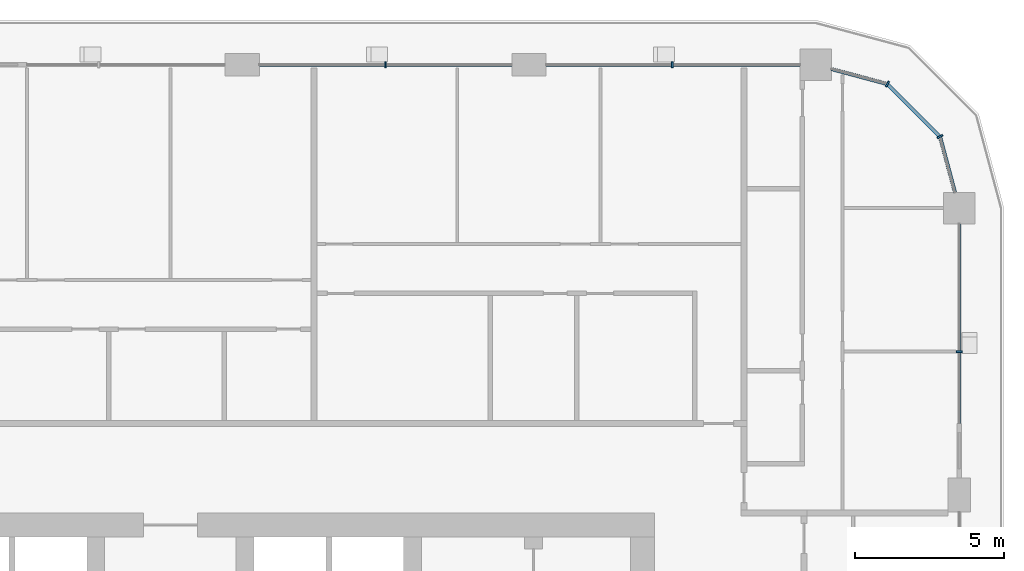
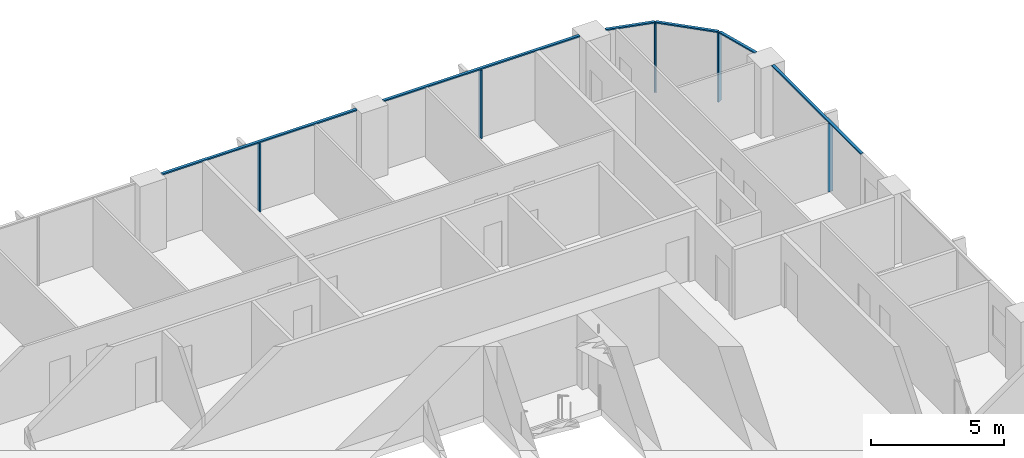
# One storey, part 6 of 22: 11 members, 4 elements without a shape of their own.
"""IFC4 building model written with IfcOpenShell, lengths in metres."""

from ifc_helpers import new_model, si_unit, direction, frame, origin, origin_2d, place, context, subcontext, project, spatial, rectangle, extrude, material, layer, layer_set, material_profile, profile_set, type_object, element, aggregate, save


model = new_model("IFC4")

# Units and contexts
model_context = context("Model", 3, precision=1e-05, world=origin(), true_north=direction((0.0, 1.0)))
body_context = subcontext(model_context, "Body", "Model", "MODEL_VIEW")
ifc_project = project(units=[si_unit("LENGTHUNIT", "METRE"), si_unit("AREAUNIT", "SQUARE_METRE"), si_unit("VOLUMEUNIT", "CUBIC_METRE"), si_unit("PLANEANGLEUNIT", "RADIAN"), si_unit("MASSUNIT", "GRAM", prefix="KILO")], contexts=[model_context])

# Site, building, storey
site_placement = place(None, origin())
site = spatial("IfcSite", under=ifc_project, at=site_placement, CompositionType="ELEMENT")
building_placement = place(site_placement, origin())
building = spatial("IfcBuilding", under=site, at=building_placement, Name="Madar Terraces", CompositionType="ELEMENT")
storey_placement = place(building_placement, frame((0.0, 0.0, 129.60009765625)))
storey = spatial("IfcBuildingStorey", under=building, at=storey_placement, Name="L33", CompositionType="ELEMENT", Elevation=129.60009765625)

# Curtain wall, member
ifc_material_1 = material(Name="Glass, ceramic frit dark grey, with black aluminium frame", Category="aluminium")
ifc_layer = layer(ifc_material_1, 0.199951171875)
ifc_layer_set = layer_set([ifc_layer], Name="Facade curtain wall, fritted glass")
curtain_wall_type = type_object("IfcCurtainWallType", Name="Facade curtain wall, fritted glass", PredefinedType="NOTDEFINED", material=ifc_layer_set)
curtain_wall_1_placement = place(storey_placement, origin())
curtain_wall_1 = element("IfcCurtainWall", 1, at=curtain_wall_1_placement, inside=storey, type_object=curtain_wall_type, Name="Outer skin curtain wall east bay 4", PredefinedType="NOTDEFINED")
ifc_material_2 = material(Name="Aluminium, black anodised", Category="aluminium")
ifc_material_profile_1 = material_profile(ifc_material_2, rectangle(XDim=0.199951171875, YDim=0.06005859375, at=origin_2d()), Name="Facade mullion 60x200")
ifc_profile_set_1 = profile_set([ifc_material_profile_1], Name="Aluminium, black anodised")
member_type_1 = type_object("IfcMemberType", Name="Facade mullion 60x200", PredefinedType="MULLION", material=ifc_profile_set_1)
member_1_placement = place(storey_placement, frame((57.60009765625, 43.199951171875, 0.0), z_axis=(0.0, 0.0, 1.0), x_axis=(-1.0, 0.0, 0.0)))
member_1 = element("IfcMember", 2, at=member_1_placement, type_object=member_type_1, Name="Mullion 1", PredefinedType="MULLION", context=body_context, shape_type="SweptSolid", body=[
    extrude(rectangle(XDim=0.199951171875, YDim=0.06005859375, at=origin_2d()), origin(), (0.0, 0.0, 1.0), 3.139892578125),
])

curtain_wall_2_placement = place(storey_placement, origin())
curtain_wall_2 = element("IfcCurtainWall", 3, at=curtain_wall_2_placement, inside=storey, type_object=curtain_wall_type, Name="Outer skin curtain wall north bay 1", PredefinedType="NOTDEFINED")
member_2_placement = place(storey_placement, frame((48.0, 52.800048828125, 0.0), z_axis=(0.0, 0.0, 1.0), x_axis=(0.0, -1.0, 0.0)))
member_2 = element("IfcMember", 4, at=member_2_placement, type_object=member_type_1, Name="Mullion 1", PredefinedType="MULLION", context=body_context, shape_type="SweptSolid", body=[
    extrude(rectangle(XDim=0.199951171875, YDim=0.06005859375, at=origin_2d()), origin(), (0.0, 0.0, 1.0), 3.139892578125),
])

curtain_wall_3_placement = place(storey_placement, origin())
curtain_wall_3 = element("IfcCurtainWall", 5, at=curtain_wall_3_placement, inside=storey, type_object=curtain_wall_type, Name="Outer skin curtain wall north bay 2", PredefinedType="NOTDEFINED")
member_3_placement = place(storey_placement, frame((38.39990234375, 52.800048828125, 0.0), z_axis=(0.0, 0.0, 1.0), x_axis=(0.0, -1.0, 0.0)))
member_3 = element("IfcMember", 6, at=member_3_placement, type_object=member_type_1, Name="Mullion 1", PredefinedType="MULLION", context=body_context, shape_type="SweptSolid", body=[
    extrude(rectangle(XDim=0.199951171875, YDim=0.06005859375, at=origin_2d()), origin(), (0.0, 0.0, 1.0), 3.139892578125),
])

# Curtain wall, members
curtain_wall_4_placement = place(storey_placement, origin())
curtain_wall_4 = element("IfcCurtainWall", 7, at=curtain_wall_4_placement, inside=storey, type_object=curtain_wall_type, Name="Outer skin curtain wall north-east corner", PredefinedType="NOTDEFINED")
member_4_placement = place(storey_placement, frame((56.95703125, 50.39990234375, 0.0), z_axis=(0.0, 0.0, 1.0), x_axis=(-0.866025409797, -0.499999989586, 0.0)))
member_4 = element("IfcMember", 8, at=member_4_placement, type_object=member_type_1, Name="Mullion 1", PredefinedType="MULLION", context=body_context, shape_type="SweptSolid", body=[
    extrude(rectangle(XDim=0.199951171875, YDim=0.06005859375, at=origin_2d()), origin(), (0.0, 0.0, 1.0), 3.139892578125),
])
member_5_placement = place(storey_placement, frame((55.199951171875, 52.156982421875, 0.0), z_axis=(0.0, 0.0, 1.0), x_axis=(-0.499999989586, -0.866025409797, 0.0)))
member_5 = element("IfcMember", 9, at=member_5_placement, type_object=member_type_1, Name="Mullion 2", PredefinedType="MULLION", context=body_context, shape_type="SweptSolid", body=[
    extrude(rectangle(XDim=0.199951171875, YDim=0.06005859375, at=origin_2d()), origin(), (0.0, 0.0, 1.0), 3.139892578125),
])

# Member
ifc_material_3 = material(Name="Aluminium, black anodised", Category="aluminium")
ifc_material_profile_2 = material_profile(ifc_material_3, rectangle(XDim=0.1201171875, YDim=0.06005859375, at=origin_2d()), Name="Facade transom 60x120")
ifc_profile_set_2 = profile_set([ifc_material_profile_2], Name="Aluminium, black anodised")
member_type_2 = type_object("IfcMemberType", Name="Facade transom 60x120", PredefinedType="USERDEFINED", material=ifc_profile_set_2)
member_6_placement = place(storey_placement, frame((57.60009765625, 40.800048828125, 3.169921875), z_axis=(0.0, 1.0, 0.0), x_axis=(-1.0, 0.0, 0.0)))
member_6 = element("IfcMember", 10, at=member_6_placement, type_object=member_type_2, Name="Transom 1", ObjectType="TRANSOM", PredefinedType="USERDEFINED", context=body_context, shape_type="SweptSolid", body=[
    extrude(rectangle(XDim=0.1201171875, YDim=0.06005859375, at=origin_2d()), origin(), (0.0, 0.0, 1.0), 6.675048828125),
])

aggregate(curtain_wall_1, [member_1, member_6])

member_7_placement = place(storey_placement, frame((52.27490234375, 52.800048828125, 3.169921875), z_axis=(-1.0, 0.0, 0.0), x_axis=(0.0, -1.0, 0.0)))
member_7 = element("IfcMember", 11, at=member_7_placement, type_object=member_type_2, Name="Transom 1", ObjectType="TRANSOM", PredefinedType="USERDEFINED", context=body_context, shape_type="SweptSolid", body=[
    extrude(rectangle(XDim=0.1201171875, YDim=0.06005859375, at=origin_2d()), origin(), (0.0, 0.0, 1.0), 8.5),
])

aggregate(curtain_wall_2, [member_2, member_7])

member_8_placement = place(storey_placement, frame((42.625, 52.800048828125, 3.169921875), z_axis=(-1.0, 0.0, 0.0), x_axis=(0.0, -1.0, 0.0)))
member_8 = element("IfcMember", 12, at=member_8_placement, type_object=member_type_2, Name="Transom 1", ObjectType="TRANSOM", PredefinedType="USERDEFINED", context=body_context, shape_type="SweptSolid", body=[
    extrude(rectangle(XDim=0.1201171875, YDim=0.06005859375, at=origin_2d()), origin(), (0.0, 0.0, 1.0), 8.449951171875),
])

aggregate(curtain_wall_3, [member_3, member_8])

member_9_placement = place(storey_placement, frame((57.459228515625, 48.52490234375, 3.169921875), z_axis=(-0.25879142023, 0.965933227928, 0.0), x_axis=(-0.965933227928, -0.25879142023, 0.0)))
member_9 = element("IfcMember", 13, at=member_9_placement, type_object=member_type_2, Name="Transom 1", ObjectType="TRANSOM", PredefinedType="USERDEFINED", context=body_context, shape_type="SweptSolid", body=[
    extrude(rectangle(XDim=0.1201171875, YDim=0.06005859375, at=origin_2d()), origin(), (0.0, 0.0, 1.0), 1.911376953125),
])

member_10_placement = place(storey_placement, frame((56.935791015625, 50.421142578125, 3.169921875), z_axis=(-0.707106781187, 0.707106781187, 0.0), x_axis=(-0.707106781187, -0.707106781187, 0.0)))
member_10 = element("IfcMember", 14, at=member_10_placement, type_object=member_type_2, Name="Transom 2", ObjectType="TRANSOM", PredefinedType="USERDEFINED", context=body_context, shape_type="SweptSolid", body=[
    extrude(rectangle(XDim=0.1201171875, YDim=0.06005859375, at=origin_2d()), origin(), (0.0, 0.0, 1.0), 2.4248046875),
])

member_11_placement = place(storey_placement, frame((55.171142578125, 52.164794921875, 3.169921875), z_axis=(-0.965933227928, 0.25879142023, 0.0), x_axis=(-0.25879142023, -0.965933227928, 0.0)))
member_11 = element("IfcMember", 15, at=member_11_placement, type_object=member_type_2, Name="Transom 3", ObjectType="TRANSOM", PredefinedType="USERDEFINED", context=body_context, shape_type="SweptSolid", body=[
    extrude(rectangle(XDim=0.1201171875, YDim=0.06005859375, at=origin_2d()), origin(), (0.0, 0.0, 1.0), 1.911376953125),
])

aggregate(curtain_wall_4, [member_4, member_9, member_5, member_10, member_11])

save(model, "model.ifc")
